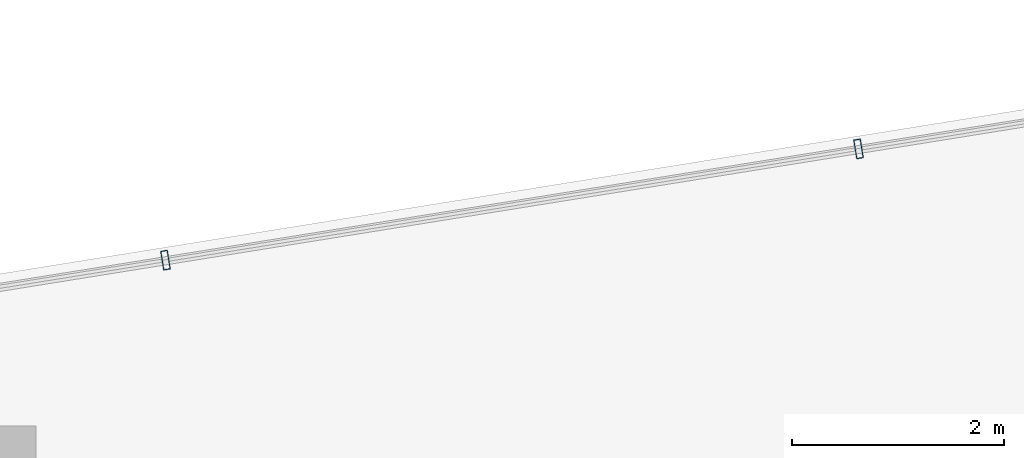
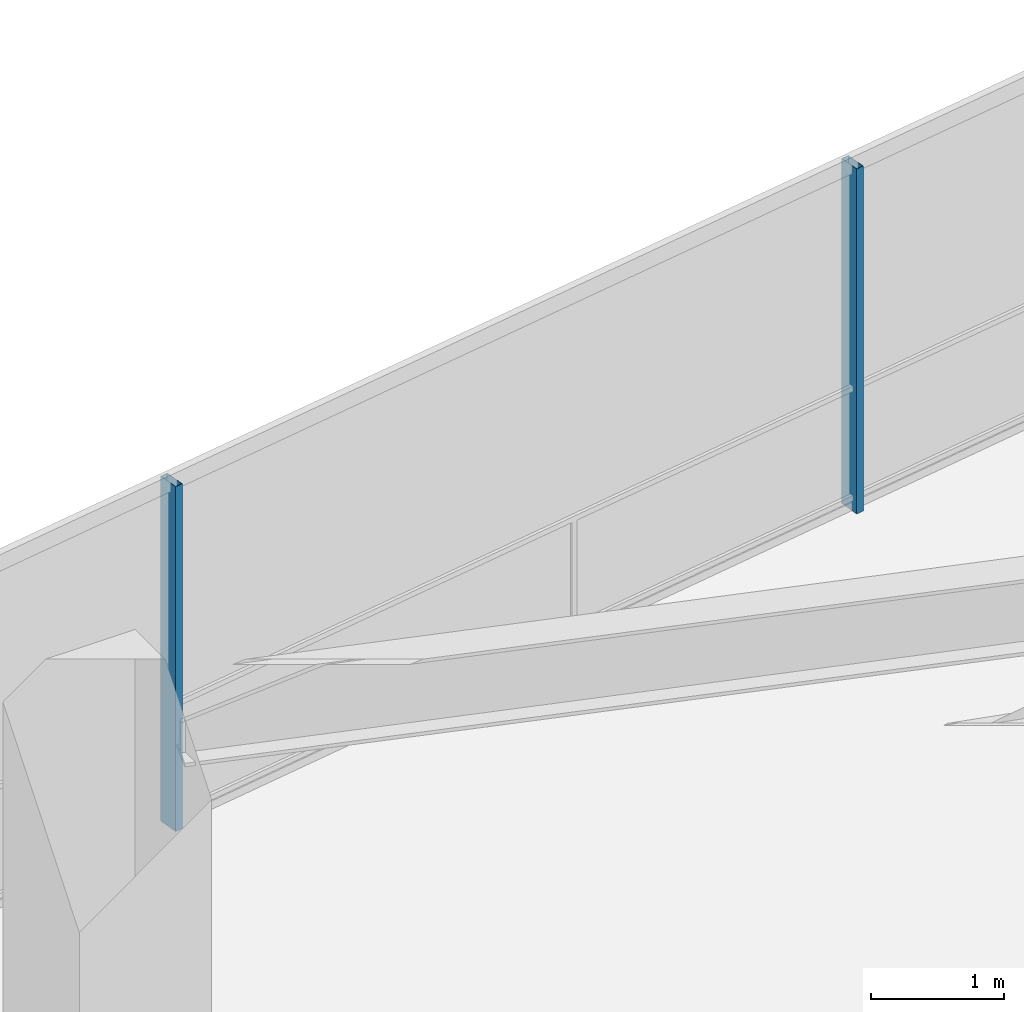
# One storey, part 20 of 27: 2 members, 1 element without a shape of its own.
"""IFC4 building model written with IfcOpenShell, lengths in metres."""

from ifc_helpers import new_model, si_unit, direction, frame, origin, origin_2d, place, context, subcontext, project, spatial, hollow_rectangle, extrude, material, layer, layer_set, material_profile, profile_set, type_object, element, aggregate, save


model = new_model("IFC4")

# Units and contexts
model_context = context("Model", 3, precision=1e-05, world=origin(), true_north=direction((0.0, 1.0)))
body_context = subcontext(model_context, "Body", "Model", "MODEL_VIEW")
ifc_project = project(units=[si_unit("LENGTHUNIT", "METRE"), si_unit("AREAUNIT", "SQUARE_METRE"), si_unit("VOLUMEUNIT", "CUBIC_METRE"), si_unit("PLANEANGLEUNIT", "RADIAN"), si_unit("MASSUNIT", "GRAM", prefix="KILO")], contexts=[model_context])

# Site, building, storey
site_placement = place(None, origin())
site = spatial("IfcSite", under=ifc_project, at=site_placement, CompositionType="ELEMENT")
building_placement = place(site_placement, origin())
building = spatial("IfcBuilding", under=site, at=building_placement, Name="Qarnah Convention Tower", CompositionType="ELEMENT")
storey_placement = place(building_placement, frame((0.0, 0.0, 100.5)))
storey = spatial("IfcBuildingStorey", under=building, at=storey_placement, Name="L26", CompositionType="ELEMENT", Elevation=100.5)

# Curtain wall, members
ifc_material_1 = material(Name="Tempered Low-E dark glass", Category="glass")
ifc_layer = layer(ifc_material_1, 0.169921875)
ifc_layer_set = layer_set([ifc_layer], Name="Tempered Low-E dark glass")
curtain_wall_type = type_object("IfcCurtainWallType", Name="CWS-02", PredefinedType="NOTDEFINED", material=ifc_layer_set)
curtain_wall_placement = place(storey_placement, origin())
curtain_wall = element("IfcCurtainWall", 1, at=curtain_wall_placement, inside=storey, type_object=curtain_wall_type, Name="L26 unitised curtain wall CW-L26-F3", PredefinedType="NOTDEFINED")
ifc_material_2 = material(Name="Black anodised aluminium", Category="aluminium")
ifc_material_profile = material_profile(ifc_material_2, hollow_rectangle(XDim=0.06494140625, YDim=0.179931640625, WallThickness=0.00390625, at=origin_2d()), Name="MUL-65X180")
ifc_profile_set = profile_set([ifc_material_profile], Name="Black anodised aluminium")
member_type = type_object("IfcMemberType", Name="MUL-T2", PredefinedType="MULLION", material=ifc_profile_set)
member_1_placement = place(storey_placement, frame((38.446533203125, 44.17822265625, 0.0), z_axis=(0.0, 0.0, 1.0), x_axis=(0.987357200045, 0.158511070653, 0.0)))
member_1 = element("IfcMember", 2, at=member_1_placement, type_object=member_type, Name="CW-L26-F3 mullion 4", PredefinedType="MULLION", context=body_context, shape_type="SweptSolid", body=[
    extrude(hollow_rectangle(XDim=0.06494140625, YDim=0.179931640625, WallThickness=0.00390625, at=origin_2d()), origin(), (0.0, 0.0, 1.0), 3.169921875),
])
member_2_placement = place(storey_placement, frame((44.970703125, 45.2255859375, 0.0), z_axis=(0.0, 0.0, 1.0), x_axis=(0.987357200045, 0.158511070653, 0.0)))
member_2 = element("IfcMember", 3, at=member_2_placement, type_object=member_type, Name="CW-L26-F3 mullion 5", PredefinedType="MULLION", context=body_context, shape_type="SweptSolid", body=[
    extrude(hollow_rectangle(XDim=0.06494140625, YDim=0.179931640625, WallThickness=0.00390625, at=origin_2d()), origin(), (0.0, 0.0, 1.0), 3.169921875),
])
aggregate(curtain_wall, [member_1, member_2])

save(model, "model.ifc")
